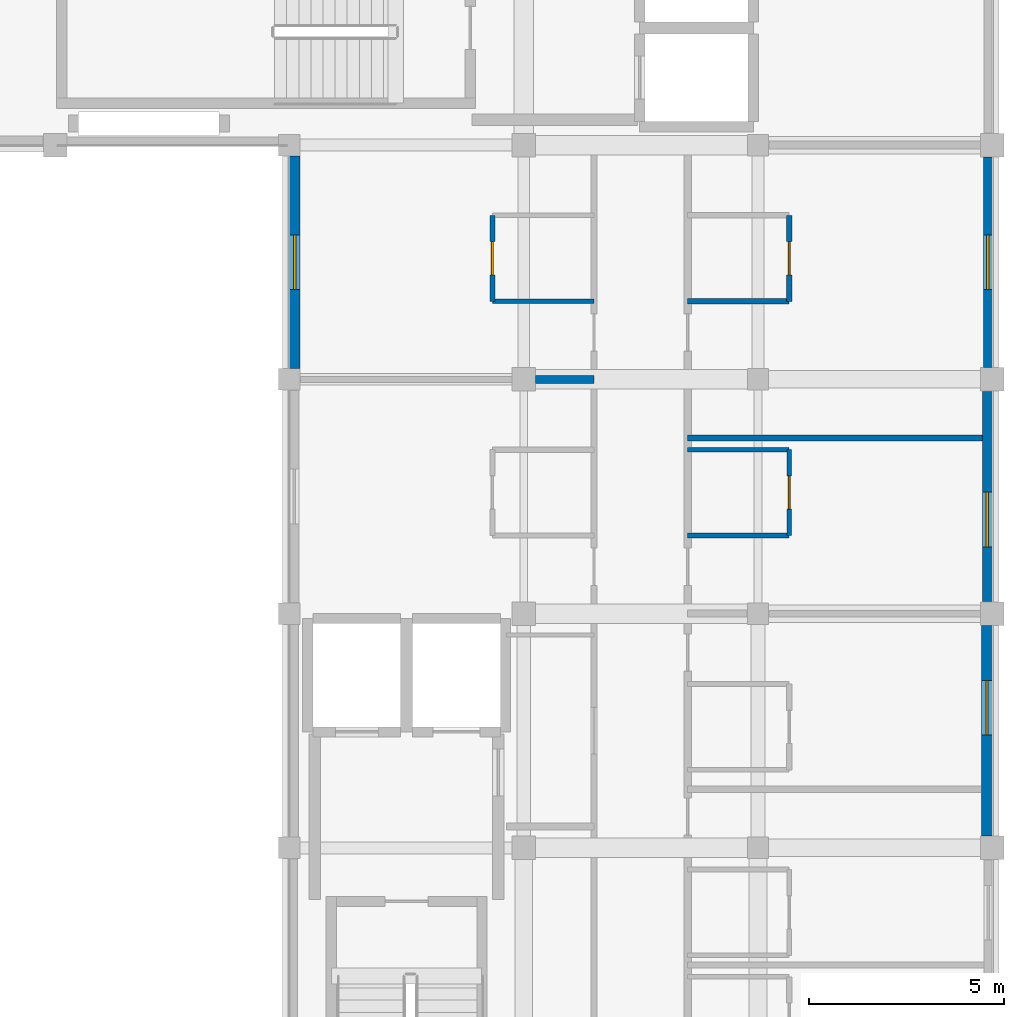
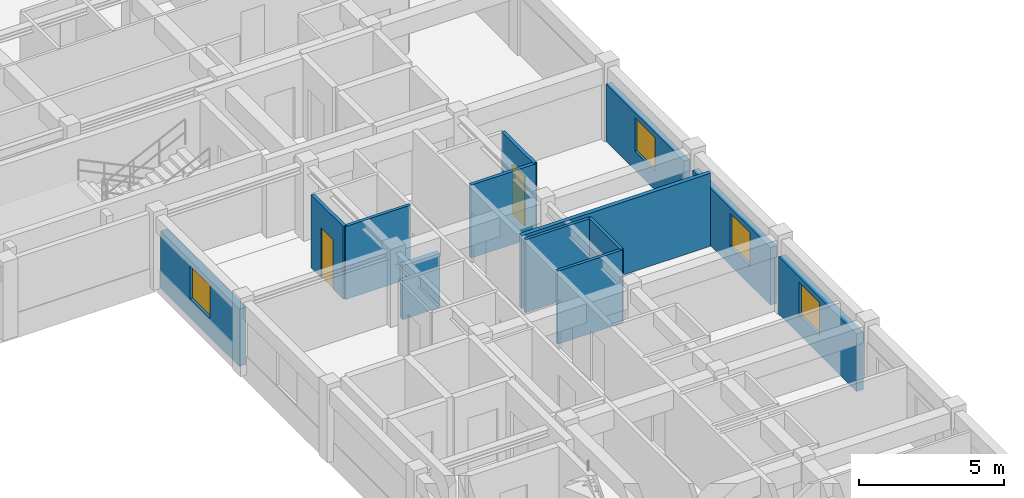
# One storey, part 8 of 22: 13 walls, 4 windows, 3 doors, 7 openings.
"""IFC4 building model written with IfcOpenShell, lengths in metres."""

import ifcopenshell
import ifcopenshell.guid

model = None  # the IFC model being written
_history = None  # IfcOwnerHistory: only IFC2X3 demands one
_inside = {}  # id of a spatial element -> (the spatial element, [elements in it])
_under = {}  # id of a project, library or spatial element -> (it, [spatial elements below it])
_declared = {}  # id of a project -> (the project, [libraries it declares])
_typed = {}  # id of a type object -> (the type object, [elements of that type])
_made_of = {}  # id of a material, layer set ... -> (it, [elements and type objects made of it])


def new_model(schema):
    """Start an empty IFC model of exactly this schema.

    Asked for "IFC4X3", IfcOpenShell would pick the latest addendum, in which some entities
    have other attributes; the version numbers below select the first issue.
    IFC2X3 requires an IfcOwnerHistory on every rooted entity: one is made here for all.
    """
    global model, _history
    if schema == "IFC4X3":
        model = ifcopenshell.file(schema_version=(4, 3, 0, 0))
    else:
        model = ifcopenshell.file(schema=schema)
    _inside.clear()
    _under.clear()
    _declared.clear()
    _typed.clear()
    _made_of.clear()
    _history = None
    if model.schema == "IFC2X3":
        org = make("IfcOrganization", Name="unknown")
        user = make(
            "IfcPersonAndOrganization",
            ThePerson=make("IfcPerson", FamilyName="unknown"),
            TheOrganization=org,
        )
        app = make(
            "IfcApplication",
            ApplicationDeveloper=org,
            Version="unknown",
            ApplicationFullName="unknown",
            ApplicationIdentifier="unknown",
        )
        _history = make(
            "IfcOwnerHistory",
            OwningUser=user,
            OwningApplication=app,
            ChangeAction="ADDED",
            CreationDate=0,
        )
    return model


def make(cls, **values):
    """One entity of the class cls with the attributes given. An attribute that is None is left unset."""
    return model.create_entity(
        cls, **{name: value for name, value in values.items() if value is not None}
    )


def rooted(cls, **values):
    """An entity with a GlobalId (a new one), such as an element, a storey or a relation."""
    return make(cls, GlobalId=ifcopenshell.guid.new(), OwnerHistory=_history, **values)


def si_unit(unit_type, name, prefix=None):
    """IfcSIUnit, for example si_unit("LENGTHUNIT", "METRE", prefix="MILLI")."""
    return make("IfcSIUnit", UnitType=unit_type, Prefix=prefix, Name=name)


def assignment(units):
    """IfcUnitAssignment: the units of a project."""
    return None if units is None else make("IfcUnitAssignment", Units=units)


def point(xyz):
    """IfcCartesianPoint."""
    return None if xyz is None else make("IfcCartesianPoint", Coordinates=xyz)


def direction(xyz):
    """IfcDirection."""
    return None if xyz is None else make("IfcDirection", DirectionRatios=xyz)


def frame(location, z_axis=None, x_axis=None):
    """IfcAxis2Placement3D, a coordinate frame: its origin and axes. An axis left out is left unset."""
    return make(
        "IfcAxis2Placement3D",
        Location=point(location),
        Axis=direction(z_axis),
        RefDirection=direction(x_axis),
    )


def frame_2d(location, x_axis=None):
    """IfcAxis2Placement2D, a coordinate frame in the plane: its origin and x axis."""
    return make(
        "IfcAxis2Placement2D", Location=point(location), RefDirection=direction(x_axis)
    )


def origin():
    """The frame at (0, 0, 0) with its axes left unset."""
    return frame((0.0, 0.0, 0.0))


def place(relative_to, where):
    """IfcLocalPlacement: puts the frame where relative to a parent placement (None: the world)."""
    return make(
        "IfcLocalPlacement", PlacementRelTo=relative_to, RelativePlacement=where
    )


def context(
    kind, dimensions, precision=None, world=None, true_north=None, identifier=None
):
    """IfcGeometricRepresentationContext, for example the 3D "Model" context."""
    return make(
        "IfcGeometricRepresentationContext",
        ContextIdentifier=identifier,
        ContextType=kind,
        CoordinateSpaceDimension=dimensions,
        Precision=precision,
        WorldCoordinateSystem=world,
        TrueNorth=true_north,
    )


def subcontext(parent, identifier, kind, view, scale=None):
    """IfcGeometricRepresentationSubContext, for example "Body" below "Model"."""
    return make(
        "IfcGeometricRepresentationSubContext",
        ContextIdentifier=identifier,
        ContextType=kind,
        ParentContext=parent,
        TargetScale=scale,
        TargetView=view,
    )


def project(units=None, contexts=None):
    """IfcProject with its units and contexts."""
    return rooted(
        "IfcProject",
        Name="project",
        RepresentationContexts=contexts,
        UnitsInContext=assignment(units),
    )


def spatial(cls, under=None, at=None, **own):
    """A site, building, storey or space (cls), placed at a placement, below another one or the project."""
    s = rooted(cls, ObjectPlacement=at, **own)
    if under is not None:
        _under.setdefault(under.id(), (under, []))[1].append(s)
    return s


def profile(cls, at=None, kind="AREA", **sizes):
    """A parametric profile (cls). Its sizes go by their IFC names, for example OverallWidth=200.0."""
    return make(cls, ProfileType=kind, Position=at, **sizes)


def rectangle(**sizes):
    """IfcRectangleProfileDef."""
    return profile("IfcRectangleProfileDef", **sizes)


def extrude(swept, where, along, depth):
    """IfcExtrudedAreaSolid: the profile swept, set in the frame where, extruded along a direction by depth."""
    return make(
        "IfcExtrudedAreaSolid",
        SweptArea=swept,
        Position=where,
        ExtrudedDirection=direction(along),
        Depth=depth,
    )


def shape(context_of_items, identifier, shape_type, items):
    """IfcShapeRepresentation: the items that make up one representation, for example the "Body"."""
    return make(
        "IfcShapeRepresentation",
        ContextOfItems=context_of_items,
        RepresentationIdentifier=identifier,
        RepresentationType=shape_type,
        Items=items,
    )


def material(Name=None, Category=None):
    """IfcMaterial."""
    return make("IfcMaterial", Name=Name, Category=Category)


def layer(
    of_material, thickness, ventilated=None, Name=None, Category=None, Priority=None
):
    """IfcMaterialLayer: one layer of a wall or slab, of a material (None: an air gap)."""
    return make(
        "IfcMaterialLayer",
        Material=of_material,
        LayerThickness=thickness,
        IsVentilated=ventilated,
        Name=Name,
        Category=Category,
        Priority=Priority,
    )


def layer_set(layers, Name=None):
    """IfcMaterialLayerSet."""
    return make("IfcMaterialLayerSet", MaterialLayers=layers, LayerSetName=Name)


def made_of(thing, what):
    """Note that an element or type object is made of a material, layer set ...; save() writes the relation."""
    if what is not None:
        _made_of.setdefault(what.id(), (what, []))[1].append(thing)
    return thing


def type_object(cls, material=None, **own):
    """A type object (cls), such as IfcWallType, which elements share."""
    return made_of(rooted(cls, **own), material)


def element(
    cls,
    number,
    at=None,
    inside=None,
    cuts=None,
    type_object=None,
    material=None,
    context=None,
    identifier="Body",
    shape_type=None,
    held_by="IfcProductDefinitionShape",
    body=None,
    shapes=None,
    **own,
):
    """One element of the class cls, such as IfcWall. Its Tag is "e" and its number.

    at: its placement. inside: the storey or other place that contains it. cuts: it is an
    opening in that element (IfcRelVoidsElement). A single representation is given by context,
    identifier, shape_type and body (its items); several are given by shapes. held_by: the class
    of the entity that holds the representations. save() writes the other relations.
    """
    e = rooted(cls, Tag="e%d" % number, ObjectPlacement=at, **own)
    if body is not None:
        shapes = [shape(context, identifier, shape_type, body)]
    if shapes is not None:
        e.Representation = make(held_by, Representations=shapes)
    if inside is not None:
        _inside.setdefault(inside.id(), (inside, []))[1].append(e)
    if cuts is not None:
        rooted(
            "IfcRelVoidsElement", RelatingBuildingElement=cuts, RelatedOpeningElement=e
        )
    if type_object is not None:
        _typed.setdefault(type_object.id(), (type_object, []))[1].append(e)
    return made_of(e, material)


def fill(opening, filler):
    """IfcRelFillsElement: the door or window that sits in an opening."""
    return rooted(
        "IfcRelFillsElement",
        RelatingOpeningElement=opening,
        RelatedBuildingElement=filler,
    )


def aggregate(whole, parts):
    """IfcRelAggregates: a whole, such as a stair, and the parts it consists of."""
    return rooted("IfcRelAggregates", RelatingObject=whole, RelatedObjects=parts)


def save(model, path):
    """Write the relations noted so far, then the file.

    IfcRelAggregates (storeys below a building ...), IfcRelContainedInSpatialStructure (elements
    in a storey), IfcRelDefinesByType, IfcRelAssociatesMaterial and IfcRelDeclares: one each for
    every whole, place, type object, material and project.
    """
    for whole, parts in _under.values():
        aggregate(whole, parts)
    for where, things in _inside.values():
        rooted(
            "IfcRelContainedInSpatialStructure",
            RelatedElements=things,
            RelatingStructure=where,
        )
    for kind, things in _typed.values():
        rooted("IfcRelDefinesByType", RelatedObjects=things, RelatingType=kind)
    for what, things in _made_of.values():
        rooted("IfcRelAssociatesMaterial", RelatedObjects=things, RelatingMaterial=what)
    for by, libraries in _declared.values():
        rooted("IfcRelDeclares", RelatingContext=by, RelatedDefinitions=libraries)
    model.write(path)


model = new_model("IFC4")

# Units and contexts
model_context = context("Model", 3, precision=1e-05, world=origin(), true_north=direction((0.0, 1.0)))
body_context = subcontext(model_context, "Body", "Model", "MODEL_VIEW")
ifc_project = project(units=[si_unit("LENGTHUNIT", "METRE"), si_unit("AREAUNIT", "SQUARE_METRE"), si_unit("VOLUMEUNIT", "CUBIC_METRE"), si_unit("PLANEANGLEUNIT", "RADIAN"), si_unit("MASSUNIT", "GRAM", prefix="KILO"), si_unit("THERMODYNAMICTEMPERATUREUNIT", "KELVIN"), si_unit("POWERUNIT", "WATT")], contexts=[model_context])

# Site, building, storey
site_placement = place(None, origin())
site = spatial("IfcSite", under=ifc_project, at=site_placement, CompositionType="ELEMENT")
building_placement = place(site_placement, origin())
building = spatial("IfcBuilding", under=site, at=building_placement, Name="Phaisarnlok Congress Hotel", CompositionType="ELEMENT")
storey_placement = place(building_placement, frame((0.0, 0.0, 28.199951171875)))
storey = spatial("IfcBuildingStorey", under=building, at=storey_placement, Name="L06", CompositionType="ELEMENT", Elevation=28.199951171875)

# Wall, opening, window
ifc_material_1 = material(Name="Concrete C40/50", Category="concrete")
ifc_layer_1 = layer(ifc_material_1, 0.22998046875, Name="Concrete C40/50")
ifc_layer_set_1 = layer_set([ifc_layer_1], Name="Concrete C40/50")
wall_type_1 = type_object("IfcWallType", Name="WL-EXT-230", PredefinedType="SOLIDWALL", material=ifc_layer_set_1)
wall_1_placement = place(storey_placement, frame((179.885009765625, 102.304931640625, 0.0), z_axis=(0.0, 0.0, 1.0), x_axis=(0.0, 1.0, 0.0)))
wall_1 = element("IfcWall", 1, at=wall_1_placement, inside=storey, type_object=wall_type_1, Name="Exterior wall EW-06 (L06)", PredefinedType="SOLIDWALL", context=body_context, shape_type="SweptSolid", body=[
    extrude(rectangle(XDim=5.39013671875, YDim=0.22998046875, at=frame_2d((2.695068359375, 0.0))), origin(), (0.0, 0.0, 1.0), 2.429931640625),
])
opening_1_placement = place(wall_1_placement, frame((1.9951171875, 0.0, 0.800048828125)))
opening_1 = element("IfcOpeningElement", 2, at=opening_1_placement, cuts=wall_1, Name="Opening W-13", PredefinedType="OPENING", context=body_context, shape_type="SweptSolid", body=[
    extrude(rectangle(XDim=1.39990234375, YDim=1.39990234375, at=frame_2d((0.699951171875, 0.699951171875))), frame((0.0, 0.125, 0.0), z_axis=(0.0, -1.0, 0.0), x_axis=(1.0, 0.0, 0.0)), (0.0, 0.0, 1.0), 0.25),
])
ifc_material_2 = material(Name="Thermally Broken Aluminium & Low-E Double Glazing", Category="aluminium")
window_type = type_object("IfcWindowType", Name="WIN-POD-1400", PartitioningType="SINGLE_PANEL", PredefinedType="WINDOW", material=ifc_material_2)
window_1_placement = place(opening_1_placement, origin())
window_1 = element("IfcWindow", 3, at=window_1_placement, inside=storey, type_object=window_type, Name="Guestroom window W-13 (L06)", OverallHeight=1.39990234375, OverallWidth=1.39990234375, PartitioningType="SINGLE_PANEL", PredefinedType="WINDOW", context=body_context, shape_type="SweptSolid", body=[
    extrude(rectangle(XDim=1.39990234375, YDim=1.39990234375, at=frame_2d((0.699951171875, 0.699951171875))), frame((0.0, 0.030029296875, 0.0), z_axis=(0.0, -1.0, 0.0), x_axis=(1.0, 0.0, 0.0)), (0.0, 0.0, 1.0), 0.06005859375),
])
fill(opening_1, window_1)

ifc_layer_2 = layer(ifc_material_1, 0.25, Name="Concrete C40/50")
ifc_layer_set_2 = layer_set([ifc_layer_2], Name="Concrete C40/50")
wall_type_2 = type_object("IfcWallType", Name="WL-EXT-250", PredefinedType="SOLIDWALL", material=ifc_layer_set_2)
wall_2_placement = place(storey_placement, frame((179.875, 96.304931640625, 0.0), z_axis=(0.0, 0.0, 1.0), x_axis=(0.0, 1.0, 0.0)))
wall_2 = element("IfcWall", 4, at=wall_2_placement, inside=storey, type_object=wall_type_2, Name="Exterior wall EW-05 (L06)", PredefinedType="SOLIDWALL", context=body_context, shape_type="SweptSolid", body=[
    extrude(rectangle(XDim=5.39013671875, YDim=0.25, at=frame_2d((2.695068359375, 0.0))), origin(), (0.0, 0.0, 1.0), 2.429931640625),
])
opening_2_placement = place(wall_2_placement, frame((1.406982421875, 0.0, 0.800048828125)))
opening_2 = element("IfcOpeningElement", 5, at=opening_2_placement, cuts=wall_2, Name="Opening W-13", PredefinedType="OPENING", context=body_context, shape_type="SweptSolid", body=[
    extrude(rectangle(XDim=1.39990234375, YDim=1.39990234375, at=frame_2d((0.699951171875, 0.699951171875))), frame((0.0, 0.135009765625, 0.0), z_axis=(0.0, -1.0, 0.0), x_axis=(1.0, 0.0, 0.0)), (0.0, 0.0, 1.0), 0.27001953125),
])
window_2_placement = place(opening_2_placement, origin())
window_2 = element("IfcWindow", 6, at=window_2_placement, inside=storey, type_object=window_type, Name="Guestroom window W-13 (L06)", OverallHeight=1.39990234375, OverallWidth=1.39990234375, PartitioningType="SINGLE_PANEL", PredefinedType="WINDOW", context=body_context, shape_type="SweptSolid", body=[
    extrude(rectangle(XDim=1.39990234375, YDim=1.39990234375, at=frame_2d((0.699951171875, 0.699951171875))), frame((0.0, 0.030029296875, 0.0), z_axis=(0.0, -1.0, 0.0), x_axis=(1.0, 0.0, 0.0)), (0.0, 0.0, 1.0), 0.06005859375),
])
fill(opening_2, window_2)

ifc_layer_3 = layer(ifc_material_1, 0.27001953125, Name="Concrete C40/50")
ifc_layer_set_3 = layer_set([ifc_layer_3], Name="Concrete C40/50")
wall_type_3 = type_object("IfcWallType", Name="WL-EXT-270", PredefinedType="SOLIDWALL", material=ifc_layer_set_3)
wall_3_placement = place(storey_placement, frame((179.864990234375, 90.304931640625, 0.0), z_axis=(0.0, 0.0, 1.0), x_axis=(0.0, 1.0, 0.0)))
wall_3 = element("IfcWall", 7, at=wall_3_placement, inside=storey, type_object=wall_type_3, Name="Exterior wall EW-04 (L06)", PredefinedType="SOLIDWALL", context=body_context, shape_type="SweptSolid", body=[
    extrude(rectangle(XDim=5.39013671875, YDim=0.27001953125, at=frame_2d((2.695068359375, 0.0))), origin(), (0.0, 0.0, 1.0), 2.429931640625),
])
opening_3_placement = place(wall_3_placement, frame((2.58203125, 0.0, 0.800048828125)))
opening_3 = element("IfcOpeningElement", 8, at=opening_3_placement, cuts=wall_3, Name="Opening W-13", PredefinedType="OPENING", context=body_context, shape_type="SweptSolid", body=[
    extrude(rectangle(XDim=1.39990234375, YDim=1.39990234375, at=frame_2d((0.699951171875, 0.699951171875))), frame((0.0, 0.14501953125, 0.0), z_axis=(0.0, -1.0, 0.0), x_axis=(1.0, 0.0, 0.0)), (0.0, 0.0, 1.0), 0.2900390625),
])
window_3_placement = place(opening_3_placement, origin())
window_3 = element("IfcWindow", 9, at=window_3_placement, inside=storey, type_object=window_type, Name="Guestroom window W-13 (L06)", OverallHeight=1.39990234375, OverallWidth=1.39990234375, PartitioningType="SINGLE_PANEL", PredefinedType="WINDOW", context=body_context, shape_type="SweptSolid", body=[
    extrude(rectangle(XDim=1.39990234375, YDim=1.39990234375, at=frame_2d((0.699951171875, 0.699951171875))), frame((0.0, 0.030029296875, 0.0), z_axis=(0.0, -1.0, 0.0), x_axis=(1.0, 0.0, 0.0)), (0.0, 0.0, 1.0), 0.06005859375),
])
fill(opening_3, window_3)

wall_4_placement = place(storey_placement, frame((162.135009765625, 107.719970703125, 0.0), z_axis=(0.0, 0.0, 1.0), x_axis=(0.0, -1.0, 0.0)))
wall_4 = element("IfcWall", 10, at=wall_4_placement, inside=storey, type_object=wall_type_3, Name="Exterior wall EW-04 (L06)", PredefinedType="SOLIDWALL", context=body_context, shape_type="SweptSolid", body=[
    extrude(rectangle(XDim=5.43994140625, YDim=0.27001953125, at=frame_2d((2.719970703125, 0.0))), origin(), (0.0, 0.0, 1.0), 2.429931640625),
])
opening_4_placement = place(wall_4_placement, frame((2.02001953125, 0.0, 0.800048828125)))
opening_4 = element("IfcOpeningElement", 11, at=opening_4_placement, cuts=wall_4, Name="Opening W-13", PredefinedType="OPENING", context=body_context, shape_type="SweptSolid", body=[
    extrude(rectangle(XDim=1.39990234375, YDim=1.39990234375, at=frame_2d((0.699951171875, 0.699951171875))), frame((0.0, 0.14501953125, 0.0), z_axis=(0.0, -1.0, 0.0), x_axis=(1.0, 0.0, 0.0)), (0.0, 0.0, 1.0), 0.2900390625),
])
window_4_placement = place(opening_4_placement, origin())
window_4 = element("IfcWindow", 12, at=window_4_placement, inside=storey, type_object=window_type, Name="Guestroom window W-13 (L06)", OverallHeight=1.39990234375, OverallWidth=1.39990234375, PartitioningType="SINGLE_PANEL", PredefinedType="WINDOW", context=body_context, shape_type="SweptSolid", body=[
    extrude(rectangle(XDim=1.39990234375, YDim=1.39990234375, at=frame_2d((0.699951171875, 0.699951171875))), frame((0.0, 0.030029296875, 0.0), z_axis=(0.0, -1.0, 0.0), x_axis=(1.0, 0.0, 0.0)), (0.0, 0.0, 1.0), 0.06005859375),
])
fill(opening_4, window_4)

# Wall, opening, door
ifc_material_3 = material(Name="Lightweight Metal-Stud Gypsum Partition", Category="gypsum")
ifc_layer_4 = layer(ifc_material_3, 0.1201171875, Name="Lightweight Metal-Stud Gypsum Partition")
ifc_layer_set_4 = layer_set([ifc_layer_4], Name="Lightweight Metal-Stud Gypsum Partition")
wall_type_4 = type_object("IfcWallType", Name="WL-INT-120", PredefinedType="PARTITIONING", material=ifc_layer_set_4)
wall_5_placement = place(storey_placement, frame((174.800048828125, 98.0, 0.0), z_axis=(0.0, 0.0, 1.0), x_axis=(0.0, 1.0, 0.0)))
wall_5 = element("IfcWall", 13, at=wall_5_placement, inside=storey, type_object=wall_type_4, Name="Interior partition wall IW-07 (L06)", PredefinedType="PARTITIONING", context=body_context, shape_type="SweptSolid", body=[
    extrude(rectangle(XDim=2.199951171875, YDim=0.1201171875, at=frame_2d((1.10009765625, 0.0))), origin(), (0.0, 0.0, 1.0), 3.080078125),
])
opening_5_placement = place(wall_5_placement, frame((0.675048828125, 0.0, 0.0)))
opening_5 = element("IfcOpeningElement", 14, at=opening_5_placement, cuts=wall_5, Name="Opening D-0295", PredefinedType="OPENING", context=body_context, shape_type="SweptSolid", body=[
    extrude(rectangle(XDim=0.85009765625, YDim=2.10009765625, at=frame_2d((0.425048828125, 1.050048828125))), frame((0.0, 0.070068359375, 0.0), z_axis=(0.0, -1.0, 0.0), x_axis=(1.0, 0.0, 0.0)), (0.0, 0.0, 1.0), 0.14013671875),
])
ifc_material_4 = material(Name="Moisture-Resistant Lacquered Timber", Category="wood")
door_type = type_object("IfcDoorType", Name="DR-BATH-850", OperationType="NOTDEFINED", PredefinedType="DOOR", material=ifc_material_4)
door_1_placement = place(opening_5_placement, origin())
door_1 = element("IfcDoor", 15, at=door_1_placement, inside=storey, type_object=door_type, Name="Interior door D-0295 (L06)", OperationType="SINGLE_SWING_RIGHT", OverallHeight=2.10009765625, OverallWidth=0.85009765625, PredefinedType="DOOR", context=body_context, shape_type="SweptSolid", body=[
    extrude(rectangle(XDim=0.85009765625, YDim=2.10009765625, at=frame_2d((0.425048828125, 1.050048828125))), frame((0.0, 0.02490234375, 0.0), z_axis=(0.0, -1.0, 0.0), x_axis=(1.0, 0.0, 0.0)), (0.0, 0.0, 1.0), 0.050048828125),
])
fill(opening_5, door_1)

# Walls
for number, where, z_axis, x_axis, name in (
    (16, (172.199951171875, 98.0, 0.0), (0.0, 0.0, 1.0), (1.0, 0.0, 0.0), "Interior partition wall IW-07 (L06)"),
    (17, (172.199951171875, 100.199951171875, 0.0), (0.0, 0.0, 1.0), (1.0, 0.0, 0.0), "Interior partition wall IW-07 (L06)"),
    (18, (167.199951171875, 104.0, 0.0), (0.0, 0.0, 1.0), (1.0, 0.0, 0.0), "Interior partition wall IW-07 (L06)"),
):
    element("IfcWall", number, at=place(storey_placement, frame(where, z_axis=z_axis, x_axis=x_axis)), inside=storey, type_object=wall_type_4, Name=name, PredefinedType="PARTITIONING", context=body_context, shape_type="SweptSolid", body=[
        extrude(rectangle(XDim=2.60009765625, YDim=0.1201171875, at=frame_2d((1.300048828125, 0.0))), origin(), (0.0, 0.0, 1.0), 3.080078125),
    ])

# Wall, opening, door
ifc_material_5 = material(Name="Moisture-Resistant Gypsum Partition", Category="gypsum")
ifc_layer_5 = layer(ifc_material_5, 0.135009765625, Name="Moisture-Resistant Gypsum Partition")
ifc_layer_set_5 = layer_set([ifc_layer_5], Name="Moisture-Resistant Gypsum Partition")
wall_type_5 = type_object("IfcWallType", Name="WL-INT-135", PredefinedType="PARTITIONING", material=ifc_layer_set_5)
wall_6_placement = place(storey_placement, frame((167.199951171875, 104.0, 0.0), z_axis=(0.0, 0.0, 1.0), x_axis=(0.0, 1.0, 0.0)))
wall_6 = element("IfcWall", 19, at=wall_6_placement, inside=storey, type_object=wall_type_5, Name="Interior partition wall IW-06 (L06)", PredefinedType="PARTITIONING", context=body_context, shape_type="SweptSolid", body=[
    extrude(rectangle(XDim=2.199951171875, YDim=0.135009765625, at=frame_2d((1.10009765625, 0.0))), origin(), (0.0, 0.0, 1.0), 3.080078125),
])
opening_6_placement = place(wall_6_placement, frame((0.675048828125, 0.0, 0.0)))
opening_6 = element("IfcOpeningElement", 20, at=opening_6_placement, cuts=wall_6, Name="Opening D-0314", PredefinedType="OPENING", context=body_context, shape_type="SweptSolid", body=[
    extrude(rectangle(XDim=0.85009765625, YDim=2.10009765625, at=frame_2d((0.425048828125, 1.050048828125))), frame((0.0, 0.07763671875, 0.0), z_axis=(0.0, -1.0, 0.0), x_axis=(1.0, 0.0, 0.0)), (0.0, 0.0, 1.0), 0.155029296875),
])
door_2_placement = place(opening_6_placement, origin())
door_2 = element("IfcDoor", 21, at=door_2_placement, inside=storey, type_object=door_type, Name="Interior door D-0314 (L06)", OperationType="SINGLE_SWING_LEFT", OverallHeight=2.10009765625, OverallWidth=0.85009765625, PredefinedType="DOOR", context=body_context, shape_type="SweptSolid", body=[
    extrude(rectangle(XDim=0.85009765625, YDim=2.10009765625, at=frame_2d((0.425048828125, 1.050048828125))), frame((0.0, 0.02490234375, 0.0), z_axis=(0.0, -1.0, 0.0), x_axis=(1.0, 0.0, 0.0)), (0.0, 0.0, 1.0), 0.050048828125),
])
fill(opening_6, door_2)

wall_7_placement = place(storey_placement, frame((174.800048828125, 104.0, 0.0), z_axis=(0.0, 0.0, 1.0), x_axis=(0.0, 1.0, 0.0)))
wall_7 = element("IfcWall", 22, at=wall_7_placement, inside=storey, type_object=wall_type_5, Name="Interior partition wall IW-06 (L06)", PredefinedType="PARTITIONING", context=body_context, shape_type="SweptSolid", body=[
    extrude(rectangle(XDim=2.199951171875, YDim=0.135009765625, at=frame_2d((1.10009765625, 0.0))), origin(), (0.0, 0.0, 1.0), 3.080078125),
])
opening_7_placement = place(wall_7_placement, frame((0.675048828125, 0.0, 0.0)))
opening_7 = element("IfcOpeningElement", 23, at=opening_7_placement, cuts=wall_7, Name="Opening D-0297", PredefinedType="OPENING", context=body_context, shape_type="SweptSolid", body=[
    extrude(rectangle(XDim=0.85009765625, YDim=2.10009765625, at=frame_2d((0.425048828125, 1.050048828125))), frame((0.0, 0.07763671875, 0.0), z_axis=(0.0, -1.0, 0.0), x_axis=(1.0, 0.0, 0.0)), (0.0, 0.0, 1.0), 0.155029296875),
])
door_3_placement = place(opening_7_placement, origin())
door_3 = element("IfcDoor", 24, at=door_3_placement, inside=storey, type_object=door_type, Name="Interior door D-0297 (L06)", OperationType="SINGLE_SWING_RIGHT", OverallHeight=2.10009765625, OverallWidth=0.85009765625, PredefinedType="DOOR", context=body_context, shape_type="SweptSolid", body=[
    extrude(rectangle(XDim=0.85009765625, YDim=2.10009765625, at=frame_2d((0.425048828125, 1.050048828125))), frame((0.0, 0.02490234375, 0.0), z_axis=(0.0, -1.0, 0.0), x_axis=(1.0, 0.0, 0.0)), (0.0, 0.0, 1.0), 0.050048828125),
])
fill(opening_7, door_3)

# Walls
wall_8_placement = place(storey_placement, frame((172.199951171875, 104.0, 0.0), z_axis=(0.0, 0.0, 1.0), x_axis=(1.0, 0.0, 0.0)))
element("IfcWall", 25, at=wall_8_placement, inside=storey, type_object=wall_type_5, Name="Interior partition wall IW-06 (L06)", PredefinedType="PARTITIONING", context=body_context, shape_type="SweptSolid", body=[
    extrude(rectangle(XDim=2.60009765625, YDim=0.135009765625, at=frame_2d((1.300048828125, 0.0))), origin(), (0.0, 0.0, 1.0), 3.080078125),
])
ifc_material_6 = material(Name="Double-Stud Acoustic Gypsum Partition", Category="gypsum")
ifc_layer_6 = layer(ifc_material_6, 0.159912109375, Name="Double-Stud Acoustic Gypsum Partition")
ifc_layer_set_6 = layer_set([ifc_layer_6], Name="Double-Stud Acoustic Gypsum Partition")
wall_type_6 = type_object("IfcWallType", Name="WL-INT-160", PredefinedType="PARTITIONING", material=ifc_layer_set_6)
wall_9_placement = place(storey_placement, frame((172.199951171875, 100.5, 0.0), z_axis=(0.0, 0.0, 1.0), x_axis=(1.0, 0.0, 0.0)))
element("IfcWall", 26, at=wall_9_placement, inside=storey, type_object=wall_type_6, Name="Interior partition wall IW-04 (L06)", PredefinedType="PARTITIONING", context=body_context, shape_type="SweptSolid", body=[
    extrude(rectangle(XDim=7.545166015625, YDim=0.159912109375, at=frame_2d((3.7724609375, 0.0))), origin(), (0.0, 0.0, 1.0), 3.080078125),
])
ifc_material_7 = material(Name="Autoclaved Aerated Concrete Block", Category="concrete")
ifc_layer_7 = layer(ifc_material_7, 0.199951171875, Name="Autoclaved Aerated Concrete Block")
ifc_layer_set_7 = layer_set([ifc_layer_7], Name="Autoclaved Aerated Concrete Block")
wall_type_7 = type_object("IfcWallType", Name="WL-INT-200", PredefinedType="PARTITIONING", material=ifc_layer_set_7)
wall_10_placement = place(storey_placement, frame((168.304931640625, 102.0, 0.0), z_axis=(0.0, 0.0, 1.0), x_axis=(1.0, 0.0, 0.0)))
element("IfcWall", 27, at=wall_10_placement, inside=storey, type_object=wall_type_7, Name="Interior partition wall IW-02 (L06)", PredefinedType="PARTITIONING", context=body_context, shape_type="SweptSolid", body=[
    extrude(rectangle(XDim=1.4951171875, YDim=0.199951171875, at=frame_2d((0.74755859375, 0.0))), origin(), (0.0, 0.0, 1.0), 2.280029296875),
])

save(model, "model.ifc")
